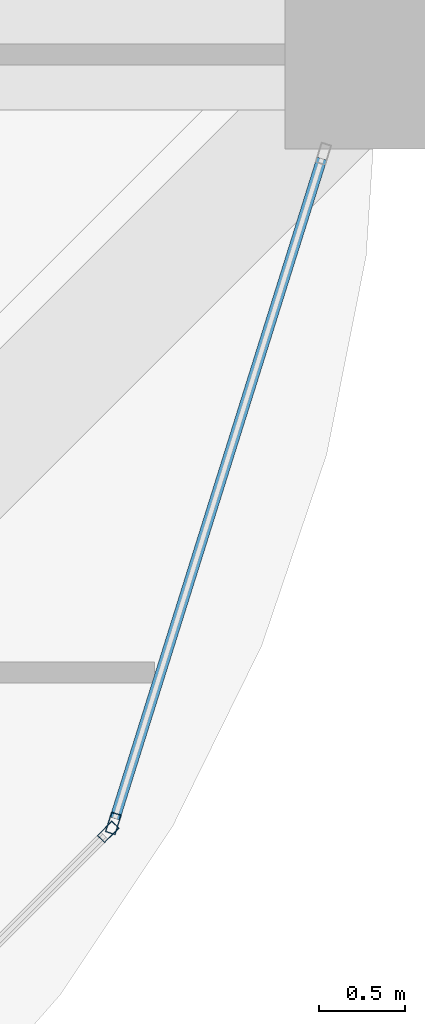
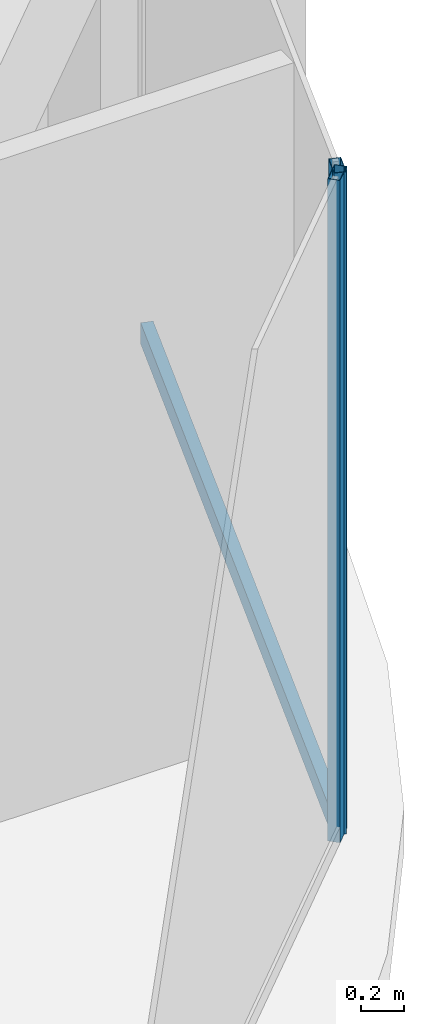
# One storey, part 20 of 45: 3 members, 2 elements without a shape of their own.
"""IFC4 building model written with IfcOpenShell, lengths in metres."""

from ifc_helpers import new_model, si_unit, direction, frame, origin, origin_2d, place, context, subcontext, project, spatial, hollow_rectangle, extrude, material, material_profile, profile_set, type_object, element, aggregate, save


model = new_model("IFC4")

# Units and contexts
model_context = context("Model", 3, precision=1e-05, world=origin(), true_north=direction((0.0, 1.0)))
body_context = subcontext(model_context, "Body", "Model", "MODEL_VIEW")
ifc_project = project(units=[si_unit("LENGTHUNIT", "METRE"), si_unit("AREAUNIT", "SQUARE_METRE"), si_unit("VOLUMEUNIT", "CUBIC_METRE"), si_unit("PLANEANGLEUNIT", "RADIAN"), si_unit("MASSUNIT", "GRAM", prefix="KILO")], contexts=[model_context])

# Site, building, storey
site_placement = place(None, origin())
site = spatial("IfcSite", under=ifc_project, at=site_placement, CompositionType="ELEMENT")
building_placement = place(site_placement, origin())
building = spatial("IfcBuilding", under=site, at=building_placement, Name="Zorevar Civic Tower", CompositionType="ELEMENT")
storey_placement = place(building_placement, frame((0.0, 0.0, 291.39990234375)))
storey = spatial("IfcBuildingStorey", under=building, at=storey_placement, Name="L71", CompositionType="ELEMENT", Elevation=291.39990234375)

# Curtain wall, member
ifc_material_1 = material(Name="Dark grey solar-control glass in black aluminium frame", Category="aluminium")
curtain_wall_type = type_object("IfcCurtainWallType", Name="Curtain wall CW5 top zone", PredefinedType="NOTDEFINED", material=ifc_material_1)
curtain_wall_1_placement = place(storey_placement, origin())
curtain_wall_1 = element("IfcCurtainWall", 1, at=curtain_wall_1_placement, inside=storey, type_object=curtain_wall_type, Name="CW5 L71", PredefinedType="NOTDEFINED")
ifc_material_2 = material(Name="Aluminium, black anodised", Category="aluminium")
ifc_material_profile_1 = material_profile(ifc_material_2, hollow_rectangle(XDim=0.06005859375, YDim=0.1201171875, WallThickness=0.0029296875, at=origin_2d()), Name="AL 120x60x3")
ifc_profile_set_1 = profile_set([ifc_material_profile_1], Name="Aluminium, black anodised")
member_type_1 = type_object("IfcMemberType", Name="CW5 mullion AL 120x60x3", PredefinedType="MULLION", material=ifc_profile_set_1)
member_1_placement = place(storey_placement, frame((52.419677734375, 4.470947265625, 0.0), z_axis=(0.0, 0.0, 1.0), x_axis=(-0.707106781187, 0.707106781187, 0.0)))
member_1 = element("IfcMember", 2, at=member_1_placement, type_object=member_type_1, Name="CW5 mullion 2", PredefinedType="MULLION", context=body_context, shape_type="SweptSolid", body=[
    extrude(hollow_rectangle(XDim=0.06005859375, YDim=0.1201171875, WallThickness=0.0029296875, at=origin_2d()), origin(), (0.0, 0.0, 1.0), 3.75),
])
aggregate(curtain_wall_1, [member_1])

# Curtain wall, members
curtain_wall_2_placement = place(storey_placement, origin())
curtain_wall_2 = element("IfcCurtainWall", 3, at=curtain_wall_2_placement, inside=storey, type_object=curtain_wall_type, Name="CW5 L71", PredefinedType="NOTDEFINED")
member_2_placement = place(storey_placement, frame((52.449951171875, 4.520751953125, 0.0), z_axis=(0.0, 0.0, 1.0), x_axis=(-0.954153437674, 0.299317920238, 0.0)))
member_2 = element("IfcMember", 4, at=member_2_placement, type_object=member_type_1, Name="CW5 mullion 1", PredefinedType="MULLION", context=body_context, shape_type="SweptSolid", body=[
    extrude(hollow_rectangle(XDim=0.06005859375, YDim=0.1201171875, WallThickness=0.0029296875, at=origin_2d()), origin(), (0.0, 0.0, 1.0), 3.75),
])
ifc_material_3 = material(Name="Aluminium, black anodised", Category="aluminium")
ifc_material_profile_2 = material_profile(ifc_material_3, hollow_rectangle(XDim=0.06005859375, YDim=0.1201171875, WallThickness=0.0029296875, at=origin_2d()), Name="AL 120x60x3")
ifc_profile_set_2 = profile_set([ifc_material_profile_2], Name="Aluminium, black anodised")
member_type_2 = type_object("IfcMemberType", Name="CW5 transom AL 120x60x3", PredefinedType="USERDEFINED", material=ifc_profile_set_2)
member_3_placement = place(storey_placement, frame((52.458984375, 4.54931640625, 0.030029296875), z_axis=(0.299285978047, 0.954163457351, 0.0), x_axis=(-0.954163457351, 0.299285978047, 0.0)))
member_3 = element("IfcMember", 5, at=member_3_placement, type_object=member_type_2, Name="CW5 sill transom", ObjectType="TRANSOM", PredefinedType="USERDEFINED", context=body_context, shape_type="SweptSolid", body=[
    extrude(hollow_rectangle(XDim=0.06005859375, YDim=0.1201171875, WallThickness=0.0029296875, at=origin_2d()), origin(), (0.0, 0.0, 1.0), 4.028076171875),
])
aggregate(curtain_wall_2, [member_2, member_3])

save(model, "model.ifc")
